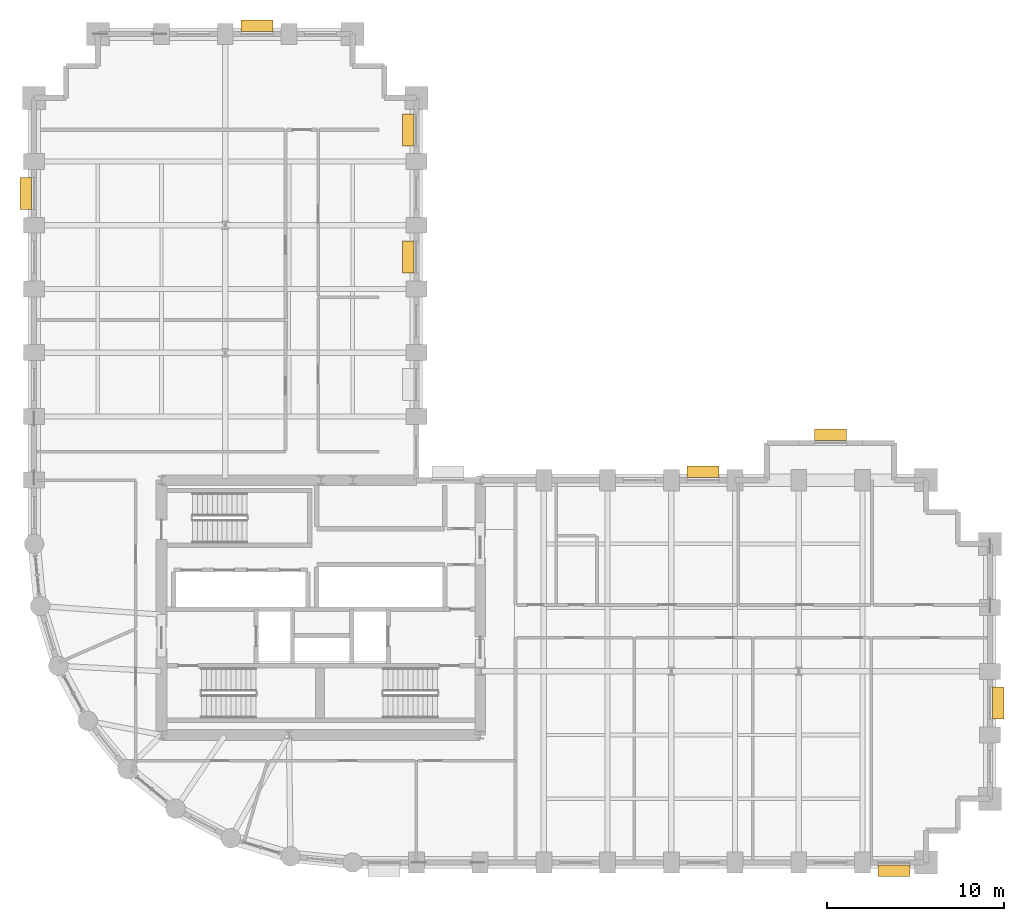
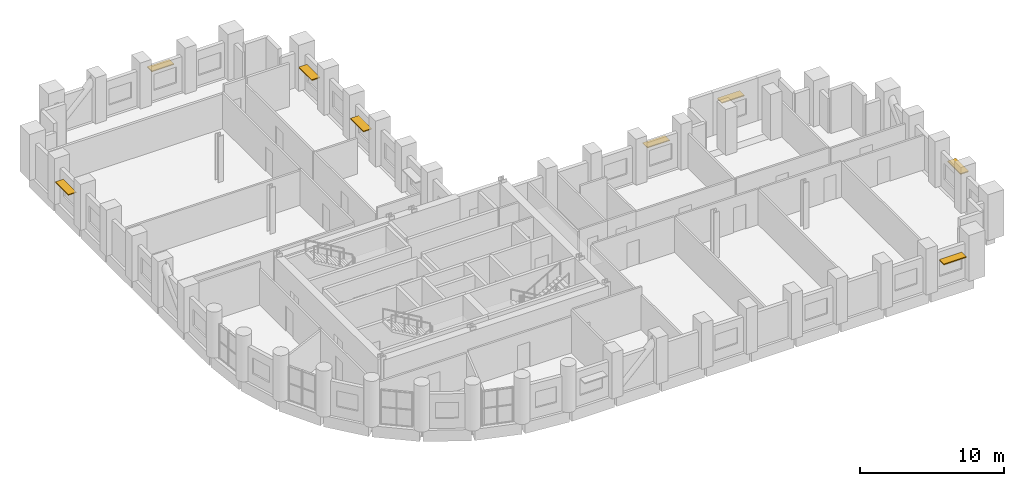
# One storey, part 13 of 13: 8 shading devices.
"""IFC4 building model written with IfcOpenShell, lengths in metres."""

from ifc_helpers import new_model, si_unit, direction, frame, origin, origin_2d, place, context, subcontext, project, spatial, rectangle, extrude, material, layer, layer_set, type_object, element, save


model = new_model("IFC4")

# Units and contexts
model_context = context("Model", 3, precision=1e-05, world=origin(), true_north=direction((0.0, 1.0)))
body_context = subcontext(model_context, "Body", "Model", "MODEL_VIEW")
ifc_project = project(units=[si_unit("LENGTHUNIT", "METRE"), si_unit("AREAUNIT", "SQUARE_METRE"), si_unit("VOLUMEUNIT", "CUBIC_METRE"), si_unit("PLANEANGLEUNIT", "RADIAN"), si_unit("MASSUNIT", "GRAM", prefix="KILO")], contexts=[model_context])

# Site, building, storey
site_placement = place(None, origin())
site = spatial("IfcSite", under=ifc_project, at=site_placement, CompositionType="ELEMENT")
building_placement = place(site_placement, origin())
building = spatial("IfcBuilding", under=site, at=building_placement, Name="Solnavia Interchange Tower", CompositionType="ELEMENT")
storey_placement = place(building_placement, frame((0.0, 0.0, 39.60009765625)))
storey = spatial("IfcBuildingStorey", under=building, at=storey_placement, Name="L09", CompositionType="ELEMENT", Elevation=39.60009765625)

# Shading devices
ifc_material = material(Name="Anodised Aluminium Sunshade", Category="aluminium")
ifc_layer = layer(ifc_material, 0.080078125)
ifc_layer_set = layer_set([ifc_layer], Name="Anodised Aluminium Sunshade")
shading_device_type = type_object("IfcShadingDeviceType", Name="Sunshade-Band-650", PredefinedType="SHUTTER", material=ifc_layer_set)
for number, where, z_axis, x_axis, name in (
    (1, (55.77490234375, 3.1298828125, 2.219970703125), (0.0, 0.0, 1.0), (-1.0, 0.0, 0.0), "SHD-L09-09 Horizontal sunshade band"),
    (2, (61.669921875, 12.60009765625, 2.219970703125), (0.0, 0.0, 1.0), (0.0, -1.0, 0.0), "SHD-L09-15 Horizontal sunshade band"),
    (3, (52.199951171875, 27.77001953125, 2.219970703125), (0.0, 0.0, 1.0), (1.0, 0.0, 0.0), "SHD-L09-25 Horizontal sunshade band"),
    (4, (45.0, 25.669921875, 2.219970703125), (0.0, 0.0, 1.0), (1.0, 0.0, 0.0), "SHD-L09-29 Horizontal sunshade band"),
    (5, (28.330078125, 37.800048828125, 2.219970703125), (0.0, 0.0, 1.0), (0.0, 1.0, 0.0), "SHD-L09-37 Horizontal sunshade band"),
    (6, (28.330078125, 44.97509765625, 2.219970703125), (0.0, 0.0, 1.0), (0.0, 1.0, 0.0), "SHD-L09-39 Horizontal sunshade band"),
    (7, (19.800048828125, 50.8701171875, 2.219970703125), (0.0, 0.0, 1.0), (1.0, 0.0, 0.0), "SHD-L09-45 Horizontal sunshade band"),
    (8, (6.72998046875, 41.39990234375, 2.219970703125), (0.0, 0.0, 1.0), (0.0, 1.0, 0.0), "SHD-L09-53 Horizontal sunshade band"),
):
    element("IfcShadingDevice", number, at=place(storey_placement, frame(where, z_axis=z_axis, x_axis=x_axis)), inside=storey, type_object=shading_device_type, Name=name, PredefinedType="SHUTTER", context=body_context, shape_type="SweptSolid", body=[
        extrude(rectangle(XDim=1.800048828125, YDim=0.64990234375, at=origin_2d()), origin(), (0.0, 0.0, 1.0), 0.080078125),
    ])

save(model, "model.ifc")
